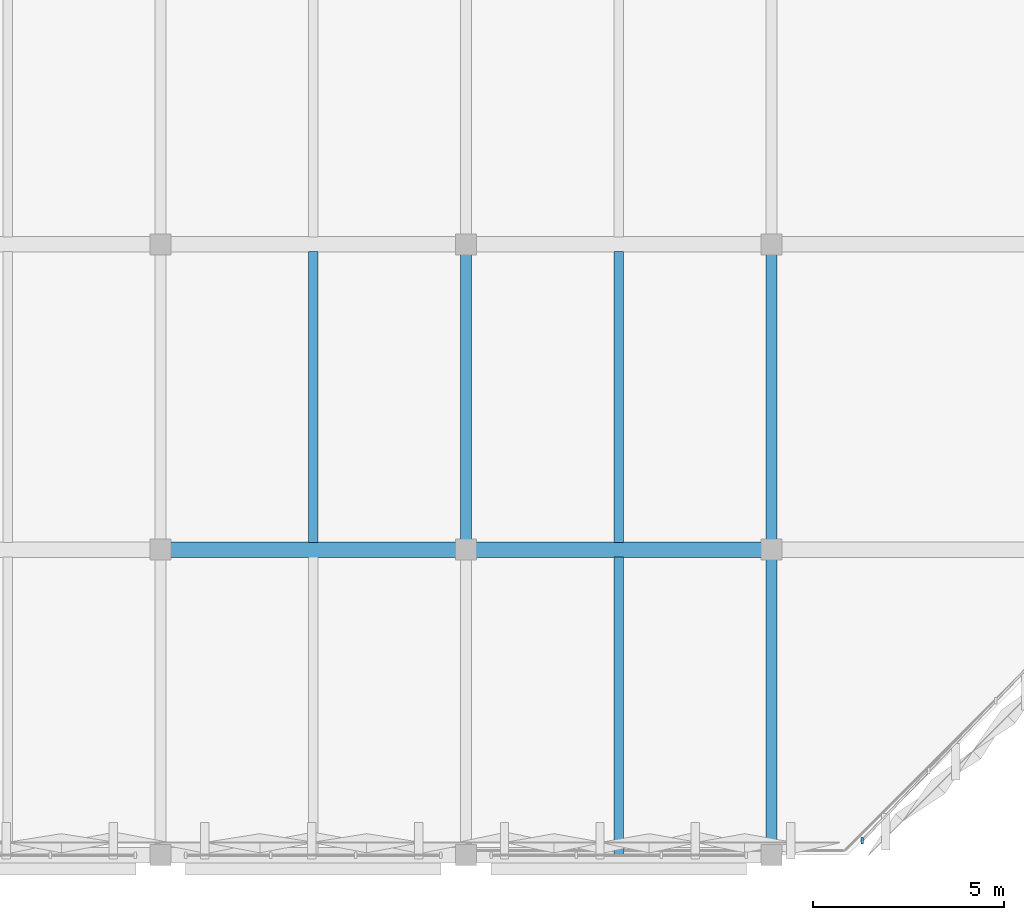
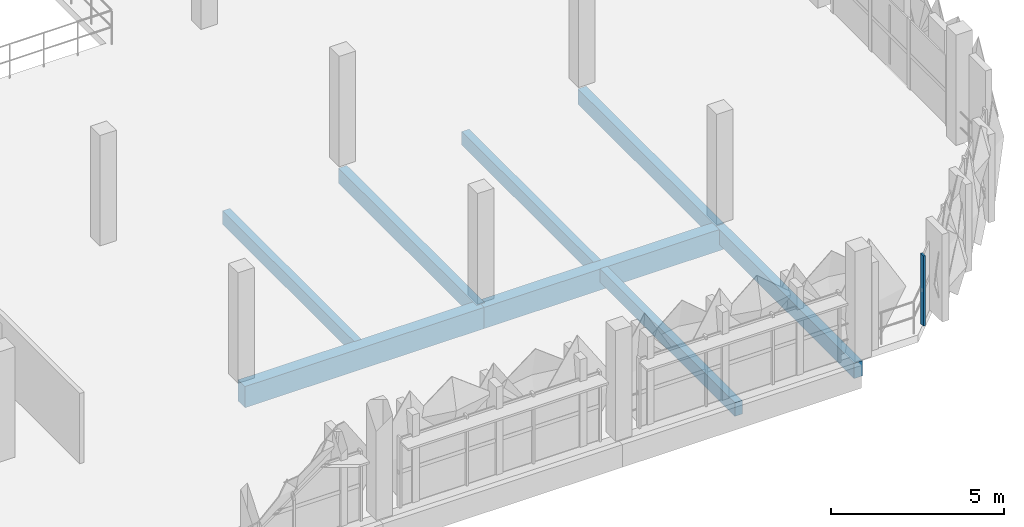
# One storey, part 21 of 96: 8 beams, 1 member, 1 element without a shape of its own.
"""IFC4 building model written with IfcOpenShell, lengths in metres."""

import ifcopenshell
import ifcopenshell.guid

model = None  # the IFC model being written
_history = None  # IfcOwnerHistory: only IFC2X3 demands one
_inside = {}  # id of a spatial element -> (the spatial element, [elements in it])
_under = {}  # id of a project, library or spatial element -> (it, [spatial elements below it])
_declared = {}  # id of a project -> (the project, [libraries it declares])
_typed = {}  # id of a type object -> (the type object, [elements of that type])
_made_of = {}  # id of a material, layer set ... -> (it, [elements and type objects made of it])


def new_model(schema):
    """Start an empty IFC model of exactly this schema.

    Asked for "IFC4X3", IfcOpenShell would pick the latest addendum, in which some entities
    have other attributes; the version numbers below select the first issue.
    IFC2X3 requires an IfcOwnerHistory on every rooted entity: one is made here for all.
    """
    global model, _history
    if schema == "IFC4X3":
        model = ifcopenshell.file(schema_version=(4, 3, 0, 0))
    else:
        model = ifcopenshell.file(schema=schema)
    _inside.clear()
    _under.clear()
    _declared.clear()
    _typed.clear()
    _made_of.clear()
    _history = None
    if model.schema == "IFC2X3":
        org = make("IfcOrganization", Name="unknown")
        user = make(
            "IfcPersonAndOrganization",
            ThePerson=make("IfcPerson", FamilyName="unknown"),
            TheOrganization=org,
        )
        app = make(
            "IfcApplication",
            ApplicationDeveloper=org,
            Version="unknown",
            ApplicationFullName="unknown",
            ApplicationIdentifier="unknown",
        )
        _history = make(
            "IfcOwnerHistory",
            OwningUser=user,
            OwningApplication=app,
            ChangeAction="ADDED",
            CreationDate=0,
        )
    return model


def make(cls, **values):
    """One entity of the class cls with the attributes given. An attribute that is None is left unset."""
    return model.create_entity(
        cls, **{name: value for name, value in values.items() if value is not None}
    )


def rooted(cls, **values):
    """An entity with a GlobalId (a new one), such as an element, a storey or a relation."""
    return make(cls, GlobalId=ifcopenshell.guid.new(), OwnerHistory=_history, **values)


def si_unit(unit_type, name, prefix=None):
    """IfcSIUnit, for example si_unit("LENGTHUNIT", "METRE", prefix="MILLI")."""
    return make("IfcSIUnit", UnitType=unit_type, Prefix=prefix, Name=name)


def derived_unit(unit_type, elements):
    """IfcDerivedUnit: a product of units, each with its exponent."""
    return make(
        "IfcDerivedUnit",
        Elements=[
            make("IfcDerivedUnitElement", Unit=unit, Exponent=power)
            for unit, power in elements
        ],
        UnitType=unit_type,
    )


def assignment(units):
    """IfcUnitAssignment: the units of a project."""
    return None if units is None else make("IfcUnitAssignment", Units=units)


def point(xyz):
    """IfcCartesianPoint."""
    return None if xyz is None else make("IfcCartesianPoint", Coordinates=xyz)


def direction(xyz):
    """IfcDirection."""
    return None if xyz is None else make("IfcDirection", DirectionRatios=xyz)


def frame(location, z_axis=None, x_axis=None):
    """IfcAxis2Placement3D, a coordinate frame: its origin and axes. An axis left out is left unset."""
    return make(
        "IfcAxis2Placement3D",
        Location=point(location),
        Axis=direction(z_axis),
        RefDirection=direction(x_axis),
    )


def frame_2d(location, x_axis=None):
    """IfcAxis2Placement2D, a coordinate frame in the plane: its origin and x axis."""
    return make(
        "IfcAxis2Placement2D", Location=point(location), RefDirection=direction(x_axis)
    )


def origin():
    """The frame at (0, 0, 0) with its axes left unset."""
    return frame((0.0, 0.0, 0.0))


def origin_2d():
    """The frame at (0, 0) in the plane with its x axis left unset."""
    return frame_2d((0.0, 0.0))


def place(relative_to, where):
    """IfcLocalPlacement: puts the frame where relative to a parent placement (None: the world)."""
    return make(
        "IfcLocalPlacement", PlacementRelTo=relative_to, RelativePlacement=where
    )


def context(
    kind, dimensions, precision=None, world=None, true_north=None, identifier=None
):
    """IfcGeometricRepresentationContext, for example the 3D "Model" context."""
    return make(
        "IfcGeometricRepresentationContext",
        ContextIdentifier=identifier,
        ContextType=kind,
        CoordinateSpaceDimension=dimensions,
        Precision=precision,
        WorldCoordinateSystem=world,
        TrueNorth=true_north,
    )


def subcontext(parent, identifier, kind, view, scale=None):
    """IfcGeometricRepresentationSubContext, for example "Body" below "Model"."""
    return make(
        "IfcGeometricRepresentationSubContext",
        ContextIdentifier=identifier,
        ContextType=kind,
        ParentContext=parent,
        TargetScale=scale,
        TargetView=view,
    )


def project(units=None, contexts=None):
    """IfcProject with its units and contexts."""
    return rooted(
        "IfcProject",
        Name="project",
        RepresentationContexts=contexts,
        UnitsInContext=assignment(units),
    )


def spatial(cls, under=None, at=None, **own):
    """A site, building, storey or space (cls), placed at a placement, below another one or the project."""
    s = rooted(cls, ObjectPlacement=at, **own)
    if under is not None:
        _under.setdefault(under.id(), (under, []))[1].append(s)
    return s


def profile(cls, at=None, kind="AREA", **sizes):
    """A parametric profile (cls). Its sizes go by their IFC names, for example OverallWidth=200.0."""
    return make(cls, ProfileType=kind, Position=at, **sizes)


def rectangle(**sizes):
    """IfcRectangleProfileDef."""
    return profile("IfcRectangleProfileDef", **sizes)


def extrude(swept, where, along, depth):
    """IfcExtrudedAreaSolid: the profile swept, set in the frame where, extruded along a direction by depth."""
    return make(
        "IfcExtrudedAreaSolid",
        SweptArea=swept,
        Position=where,
        ExtrudedDirection=direction(along),
        Depth=depth,
    )


def shape(context_of_items, identifier, shape_type, items):
    """IfcShapeRepresentation: the items that make up one representation, for example the "Body"."""
    return make(
        "IfcShapeRepresentation",
        ContextOfItems=context_of_items,
        RepresentationIdentifier=identifier,
        RepresentationType=shape_type,
        Items=items,
    )


def material(Name=None, Category=None):
    """IfcMaterial."""
    return make("IfcMaterial", Name=Name, Category=Category)


def layer(
    of_material, thickness, ventilated=None, Name=None, Category=None, Priority=None
):
    """IfcMaterialLayer: one layer of a wall or slab, of a material (None: an air gap)."""
    return make(
        "IfcMaterialLayer",
        Material=of_material,
        LayerThickness=thickness,
        IsVentilated=ventilated,
        Name=Name,
        Category=Category,
        Priority=Priority,
    )


def layer_set(layers, Name=None):
    """IfcMaterialLayerSet."""
    return make("IfcMaterialLayerSet", MaterialLayers=layers, LayerSetName=Name)


def material_profile(
    of_material, cross_section, Name=None, Category=None, Priority=None
):
    """IfcMaterialProfile: a cross section and its material."""
    return make(
        "IfcMaterialProfile",
        Name=Name,
        Material=of_material,
        Profile=cross_section,
        Priority=Priority,
        Category=Category,
    )


def profile_set(profiles, Name=None, composite=None):
    """IfcMaterialProfileSet."""
    return make(
        "IfcMaterialProfileSet",
        Name=Name,
        MaterialProfiles=profiles,
        CompositeProfile=composite,
    )


def made_of(thing, what):
    """Note that an element or type object is made of a material, layer set ...; save() writes the relation."""
    if what is not None:
        _made_of.setdefault(what.id(), (what, []))[1].append(thing)
    return thing


def type_object(cls, material=None, **own):
    """A type object (cls), such as IfcWallType, which elements share."""
    return made_of(rooted(cls, **own), material)


def element(
    cls,
    number,
    at=None,
    inside=None,
    cuts=None,
    type_object=None,
    material=None,
    context=None,
    identifier="Body",
    shape_type=None,
    held_by="IfcProductDefinitionShape",
    body=None,
    shapes=None,
    **own,
):
    """One element of the class cls, such as IfcWall. Its Tag is "e" and its number.

    at: its placement. inside: the storey or other place that contains it. cuts: it is an
    opening in that element (IfcRelVoidsElement). A single representation is given by context,
    identifier, shape_type and body (its items); several are given by shapes. held_by: the class
    of the entity that holds the representations. save() writes the other relations.
    """
    e = rooted(cls, Tag="e%d" % number, ObjectPlacement=at, **own)
    if body is not None:
        shapes = [shape(context, identifier, shape_type, body)]
    if shapes is not None:
        e.Representation = make(held_by, Representations=shapes)
    if inside is not None:
        _inside.setdefault(inside.id(), (inside, []))[1].append(e)
    if cuts is not None:
        rooted(
            "IfcRelVoidsElement", RelatingBuildingElement=cuts, RelatedOpeningElement=e
        )
    if type_object is not None:
        _typed.setdefault(type_object.id(), (type_object, []))[1].append(e)
    return made_of(e, material)


def aggregate(whole, parts):
    """IfcRelAggregates: a whole, such as a stair, and the parts it consists of."""
    return rooted("IfcRelAggregates", RelatingObject=whole, RelatedObjects=parts)


def save(model, path):
    """Write the relations noted so far, then the file.

    IfcRelAggregates (storeys below a building ...), IfcRelContainedInSpatialStructure (elements
    in a storey), IfcRelDefinesByType, IfcRelAssociatesMaterial and IfcRelDeclares: one each for
    every whole, place, type object, material and project.
    """
    for whole, parts in _under.values():
        aggregate(whole, parts)
    for where, things in _inside.values():
        rooted(
            "IfcRelContainedInSpatialStructure",
            RelatedElements=things,
            RelatingStructure=where,
        )
    for kind, things in _typed.values():
        rooted("IfcRelDefinesByType", RelatedObjects=things, RelatingType=kind)
    for what, things in _made_of.values():
        rooted("IfcRelAssociatesMaterial", RelatedObjects=things, RelatingMaterial=what)
    for by, libraries in _declared.values():
        rooted("IfcRelDeclares", RelatingContext=by, RelatedDefinitions=libraries)
    model.write(path)


model = new_model("IFC4")

# Units and contexts
model_context = context("Model", 3, precision=1e-05, world=origin(), true_north=direction((0.0, 1.0)))
body_context = subcontext(model_context, "Body", "Model", "MODEL_VIEW")
ifc_project = project(units=[si_unit("LENGTHUNIT", "METRE"), si_unit("AREAUNIT", "SQUARE_METRE"), si_unit("VOLUMEUNIT", "CUBIC_METRE"), si_unit("PLANEANGLEUNIT", "RADIAN"), si_unit("MASSUNIT", "GRAM", prefix="KILO"), si_unit("THERMODYNAMICTEMPERATUREUNIT", "KELVIN"), derived_unit("THERMALTRANSMITTANCEUNIT", [(si_unit("POWERUNIT", "WATT"), 1), (si_unit("AREAUNIT", "SQUARE_METRE"), -1), (si_unit("THERMODYNAMICTEMPERATUREUNIT", "KELVIN"), -1)])], contexts=[model_context])

# Site, building, storey
site_placement = place(None, origin())
site = spatial("IfcSite", under=ifc_project, at=site_placement, CompositionType="ELEMENT")
building_placement = place(site_placement, origin())
building = spatial("IfcBuilding", under=site, at=building_placement, Name="Haiyu Intermodal Mobility Hub", CompositionType="ELEMENT")
storey_placement = place(building_placement, frame((0.0, 0.0, 9.5)))
storey = spatial("IfcBuildingStorey", under=building, at=storey_placement, Name="L02", CompositionType="ELEMENT", Elevation=9.5)

# Beams
ifc_material_1 = material(Name="Concrete C40", Category="concrete")
ifc_material_profile_1 = material_profile(ifc_material_1, rectangle(XDim=0.39990234375, YDim=0.75, at=origin_2d()), Name="RCB400x750")
ifc_profile_set_1 = profile_set([ifc_material_profile_1], Name="Concrete C40")
beam_type_1 = type_object("IfcBeamType", Name="BM-CB03", PredefinedType="BEAM", material=ifc_profile_set_1)
for number, where, z_axis, x_axis, name in (
    (1, (186.0, 24.0, -0.635009765625), (1.0, 0.0, 0.0), (0.0, 1.0, 0.0), "BM-V5G-L02-011"),
    (2, (194.0, 24.0, -0.635009765625), (1.0, 0.0, 0.0), (0.0, 1.0, 0.0), "BM-V5G-L02-012"),
):
    element("IfcBeam", number, at=place(storey_placement, frame(where, z_axis=z_axis, x_axis=x_axis)), inside=storey, type_object=beam_type_1, Name=name, PredefinedType="BEAM", context=body_context, shape_type="SweptSolid", body=[
        extrude(rectangle(XDim=0.39990234375, YDim=0.75, at=origin_2d()), origin(), (0.0, 0.0, 1.0), 8.0),
    ])
ifc_material_profile_2 = material_profile(ifc_material_1, rectangle(XDim=0.280029296875, YDim=0.5400390625, at=origin_2d()), Name="RCB280x540")
ifc_profile_set_2 = profile_set([ifc_material_profile_2], Name="Concrete C40")
beam_type_2 = type_object("IfcBeamType", Name="BM-CB08", PredefinedType="JOIST", material=ifc_profile_set_2)
for number, where, z_axis, x_axis, name in (
    (3, (194.0, 24.0, -0.530029296875), (0.0, 1.0, 0.0), (-1.0, 0.0, 0.0), "BM-V5T-L02-042"),
    (4, (202.0, 16.0, -0.530029296875), (0.0, 1.0, 0.0), (-1.0, 0.0, 0.0), "BM-V5T-L02-049"),
    (5, (202.0, 24.0, -0.530029296875), (0.0, 1.0, 0.0), (-1.0, 0.0, 0.0), "BM-V5T-L02-050"),
):
    element("IfcBeam", number, at=place(storey_placement, frame(where, z_axis=z_axis, x_axis=x_axis)), inside=storey, type_object=beam_type_2, Name=name, PredefinedType="JOIST", context=body_context, shape_type="SweptSolid", body=[
        extrude(rectangle(XDim=0.280029296875, YDim=0.5400390625, at=origin_2d()), origin(), (0.0, 0.0, 1.0), 8.0),
    ])
ifc_material_profile_3 = material_profile(ifc_material_1, rectangle(XDim=0.25, YDim=0.47998046875, at=origin_2d()), Name="RCB250x480")
ifc_profile_set_3 = profile_set([ifc_material_profile_3], Name="Concrete C40")
beam_type_3 = type_object("IfcBeamType", Name="BM-CB09", PredefinedType="JOIST", material=ifc_profile_set_3)
beam_1_placement = place(storey_placement, frame((190.0, 24.18505859375, -0.5), z_axis=(0.0, 1.0, 0.0), x_axis=(-1.0, 0.0, 0.0)))
element("IfcBeam", 6, at=beam_1_placement, inside=storey, type_object=beam_type_3, Name="BM-V5J-L02-016", PredefinedType="JOIST", context=body_context, shape_type="SweptSolid", body=[
    extrude(rectangle(XDim=0.25, YDim=0.47998046875, at=origin_2d()), origin(), (0.0, 0.0, 1.0), 7.6298828125),
])
beam_2_placement = place(storey_placement, frame((198.0, 16.0, -0.5), z_axis=(0.0, 1.0, 0.0), x_axis=(-1.0, 0.0, 0.0)))
element("IfcBeam", 7, at=beam_2_placement, inside=storey, type_object=beam_type_3, Name="BM-V5J-L02-021", PredefinedType="JOIST", context=body_context, shape_type="SweptSolid", body=[
    extrude(rectangle(XDim=0.25, YDim=0.47998046875, at=origin_2d()), origin(), (0.0, 0.0, 1.0), 7.81494140625),
])
beam_3_placement = place(storey_placement, frame((198.0, 24.18505859375, -0.5), z_axis=(0.0, 1.0, 0.0), x_axis=(-1.0, 0.0, 0.0)))
element("IfcBeam", 8, at=beam_3_placement, inside=storey, type_object=beam_type_3, Name="BM-V5J-L02-022", PredefinedType="JOIST", context=body_context, shape_type="SweptSolid", body=[
    extrude(rectangle(XDim=0.25, YDim=0.47998046875, at=origin_2d()), origin(), (0.0, 0.0, 1.0), 7.6298828125),
])

# Curtain wall, member
ifc_material_2 = material(Name="Low-e laminated insulating glass", Category="glass")
ifc_layer = layer(ifc_material_2, 0.2099609375)
ifc_layer_set = layer_set([ifc_layer], Name="Low-e laminated insulating glass")
curtain_wall_type = type_object("IfcCurtainWallType", Name="CW-CW04", PredefinedType="NOTDEFINED", material=ifc_layer_set)
curtain_wall_placement = place(storey_placement, origin())
curtain_wall = element("IfcCurtainWall", 9, at=curtain_wall_placement, inside=storey, type_object=curtain_wall_type, Name="Curtain Wall CW-V5CH-L02-180", PredefinedType="NOTDEFINED")
ifc_material_3 = material(Name="Anodised aluminium 6063-T6", Category="aluminium")
ifc_material_profile_4 = material_profile(ifc_material_3, rectangle(XDim=0.06494140625, YDim=0.1650390625, at=origin_2d()), Name="ALU65x165")
ifc_profile_set_4 = profile_set([ifc_material_profile_4], Name="Anodised aluminium 6063-T6")
member_type = type_object("IfcMemberType", Name="CWM-ML02", PredefinedType="MULLION", material=ifc_profile_set_4)
member_placement = place(storey_placement, frame((204.3779296875, 16.37890625, 0.0), z_axis=(0.0, 0.0, 1.0), x_axis=(1.0, 0.0, 0.0)))
member = element("IfcMember", 10, at=member_placement, type_object=member_type, Name="CW-V5CH-L02-180-ML01", PredefinedType="MULLION", context=body_context, shape_type="SweptSolid", body=[
    extrude(rectangle(XDim=0.06494140625, YDim=0.1650390625, at=origin_2d()), origin(), (0.0, 0.0, 1.0), 2.47998046875),
])
aggregate(curtain_wall, [member])

save(model, "model.ifc")
